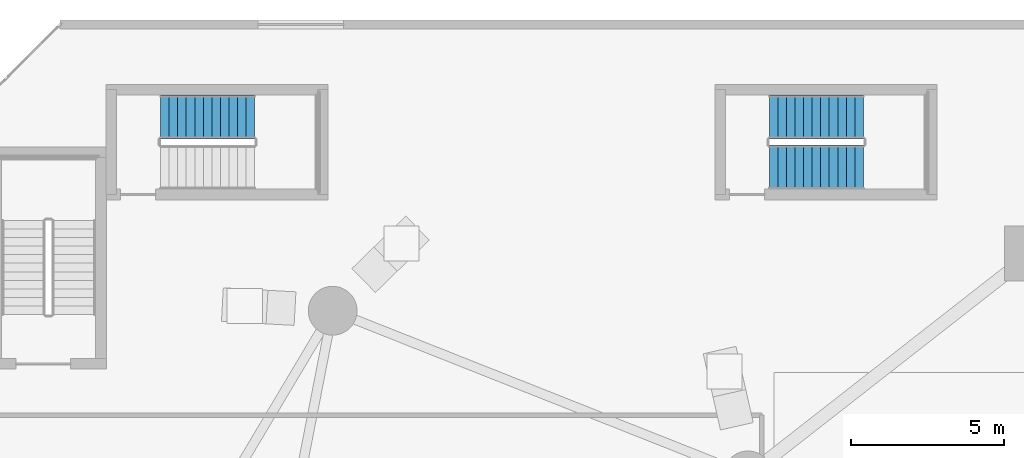
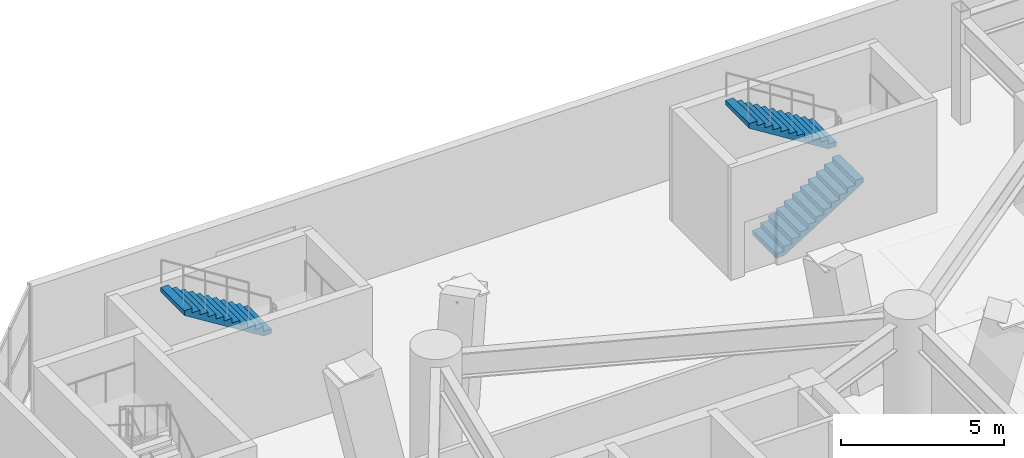
# One storey, part 15 of 20: 3 stair flights, 2 elements without a shape of their own.
"""IFC4 building model written with IfcOpenShell, lengths in metres."""

from ifc_helpers import new_model, si_unit, direction, frame, origin, place, context, subcontext, project, spatial, polyline, outline, extrude, material, type_object, element, aggregate, save


model = new_model("IFC4")

# Units and contexts
model_context = context("Model", 3, precision=1e-05, world=origin(), true_north=direction((0.0, 1.0)))
body_context = subcontext(model_context, "Body", "Model", "MODEL_VIEW")
ifc_project = project(units=[si_unit("LENGTHUNIT", "METRE"), si_unit("AREAUNIT", "SQUARE_METRE"), si_unit("VOLUMEUNIT", "CUBIC_METRE"), si_unit("PLANEANGLEUNIT", "RADIAN"), si_unit("MASSUNIT", "GRAM", prefix="KILO")], contexts=[model_context])

# Site, building, storey
site_placement = place(None, origin())
site = spatial("IfcSite", under=ifc_project, at=site_placement, CompositionType="ELEMENT")
building_placement = place(site_placement, origin())
building = spatial("IfcBuilding", under=site, at=building_placement, Name="Cununo Teusaquillo Station Towers", CompositionType="ELEMENT")
storey_placement = place(building_placement, frame((0.0, 0.0, 9.0)))
storey = spatial("IfcBuildingStorey", under=building, at=storey_placement, Name="L02", CompositionType="ELEMENT", Elevation=9.0)

# Stair, stair flights
ifc_material_1 = material(Name="Concrete C50/60", Category="concrete")
stair_type = type_object("IfcStairType", Name="ST-POD-1450", PredefinedType="HALF_TURN_STAIR", material=ifc_material_1)
stair_1_placement = place(storey_placement, origin())
stair_1 = element("IfcStair", 1, at=stair_1_placement, inside=storey, type_object=stair_type, Name="L02 Station Podium North Protected Exit Stair", PredefinedType="HALF_TURN_STAIR")
ifc_material_2 = material(Name="Concrete C50/60", Category="concrete")
stair_flight_type = type_object("IfcStairFlightType", Name="SFL-POD-1450", PredefinedType="STRAIGHT", material=ifc_material_2)
stair_flight_1_placement = place(storey_placement, frame((27.050048828125, 43.324951171875, 0.0), z_axis=(0.0, 0.0, 1.0), x_axis=(1.0, 0.0, 0.0)))
stair_flight_1 = element("IfcStairFlight", 2, at=stair_flight_1_placement, type_object=stair_flight_type, Name="ST-POD-N flight 1", NumberOfRisers=12, NumberOfTreads=11, PredefinedType="STRAIGHT", RiserHeight=0.175, TreadLength=0.28, context=body_context, shape_type="SweptSolid", body=[
    extrude(outline(polyline([(0.0, 0.0), (0.0, 0.175048828125), (0.280029296875, 0.175048828125), (0.280029296875, 0.35009765625), (0.56005859375, 0.35009765625), (0.56005859375, 0.52490234375), (0.840087890625, 0.52490234375), (0.840087890625, 0.699951171875), (1.1201171875, 0.699951171875), (1.1201171875, 0.875), (1.39990234375, 0.875), (1.39990234375, 1.050048828125), (1.679931640625, 1.050048828125), (1.679931640625, 1.22509765625), (1.9599609375, 1.22509765625), (1.9599609375, 1.39990234375), (2.239990234375, 1.39990234375), (2.239990234375, 1.574951171875), (2.52001953125, 1.574951171875), (2.52001953125, 1.75), (2.800048828125, 1.75), (2.800048828125, 1.925048828125), (3.080078125, 1.925048828125), (3.080078125, 2.10009765625), (3.080078125, 1.748291015625), (0.28271484375, 0.0), (0.0, 0.0)])), frame((0.0, 0.72509765625, 0.0), z_axis=(0.0, -1.0, 0.0), x_axis=(1.0, 0.0, 0.0)), (0.0, 0.0, 1.0), 1.449951171875),
])
stair_flight_2_placement = place(storey_placement, frame((30.1298828125, 44.97509765625, 2.10009765625), z_axis=(0.0, 0.0, 1.0), x_axis=(-1.0, 0.0, 0.0)))
stair_flight_2 = element("IfcStairFlight", 3, at=stair_flight_2_placement, type_object=stair_flight_type, Name="ST-POD-N flight 2", NumberOfRisers=12, NumberOfTreads=11, PredefinedType="STRAIGHT", RiserHeight=0.175, TreadLength=0.28, context=body_context, shape_type="SweptSolid", body=[
    extrude(outline(polyline([(0.0, 0.0), (0.0, 0.175048828125), (0.280029296875, 0.175048828125), (0.280029296875, 0.35009765625), (0.56005859375, 0.35009765625), (0.56005859375, 0.52490234375), (0.840087890625, 0.52490234375), (0.840087890625, 0.699951171875), (1.1201171875, 0.699951171875), (1.1201171875, 0.875), (1.39990234375, 0.875), (1.39990234375, 1.050048828125), (1.679931640625, 1.050048828125), (1.679931640625, 1.22509765625), (1.9599609375, 1.22509765625), (1.9599609375, 1.39990234375), (2.239990234375, 1.39990234375), (2.239990234375, 1.574951171875), (2.52001953125, 1.574951171875), (2.52001953125, 1.75), (2.800048828125, 1.75), (2.800048828125, 1.925048828125), (3.080078125, 1.925048828125), (3.080078125, 2.10009765625), (3.080078125, 1.748291015625), (0.28271484375, 0.0), (0.0, 0.0)])), frame((0.0, 0.72509765625, 0.0), z_axis=(0.0, -1.0, 0.0), x_axis=(1.0, 0.0, 0.0)), (0.0, 0.0, 1.0), 1.449951171875),
])
aggregate(stair_1, [stair_flight_1, stair_flight_2])

# Stair, stair flight
stair_2_placement = place(storey_placement, origin())
stair_2 = element("IfcStair", 4, at=stair_2_placement, inside=storey, type_object=stair_type, Name="L02 Station Podium North-West Protected Exit Stair", PredefinedType="HALF_TURN_STAIR")
stair_flight_3_placement = place(storey_placement, frame((10.179931640625, 44.97509765625, 2.10009765625), z_axis=(0.0, 0.0, 1.0), x_axis=(-1.0, 0.0, 0.0)))
stair_flight_3 = element("IfcStairFlight", 5, at=stair_flight_3_placement, type_object=stair_flight_type, Name="ST-POD-C flight 2", NumberOfRisers=12, NumberOfTreads=11, PredefinedType="STRAIGHT", RiserHeight=0.175, TreadLength=0.28, context=body_context, shape_type="SweptSolid", body=[
    extrude(outline(polyline([(0.0, 0.0), (0.0, 0.175048828125), (0.280029296875, 0.175048828125), (0.280029296875, 0.35009765625), (0.56005859375, 0.35009765625), (0.56005859375, 0.52490234375), (0.840087890625, 0.52490234375), (0.840087890625, 0.699951171875), (1.1201171875, 0.699951171875), (1.1201171875, 0.875), (1.39990234375, 0.875), (1.39990234375, 1.050048828125), (1.679931640625, 1.050048828125), (1.679931640625, 1.22509765625), (1.9599609375, 1.22509765625), (1.9599609375, 1.39990234375), (2.239990234375, 1.39990234375), (2.239990234375, 1.574951171875), (2.52001953125, 1.574951171875), (2.52001953125, 1.75), (2.800048828125, 1.75), (2.800048828125, 1.925048828125), (3.080078125, 1.925048828125), (3.080078125, 2.10009765625), (3.080078125, 1.748291015625), (0.28271484375, 0.0), (0.0, 0.0)])), frame((0.0, 0.72509765625, 0.0), z_axis=(0.0, -1.0, 0.0), x_axis=(1.0, 0.0, 0.0)), (0.0, 0.0, 1.0), 1.449951171875),
])
aggregate(stair_2, [stair_flight_3])

save(model, "model.ifc")
